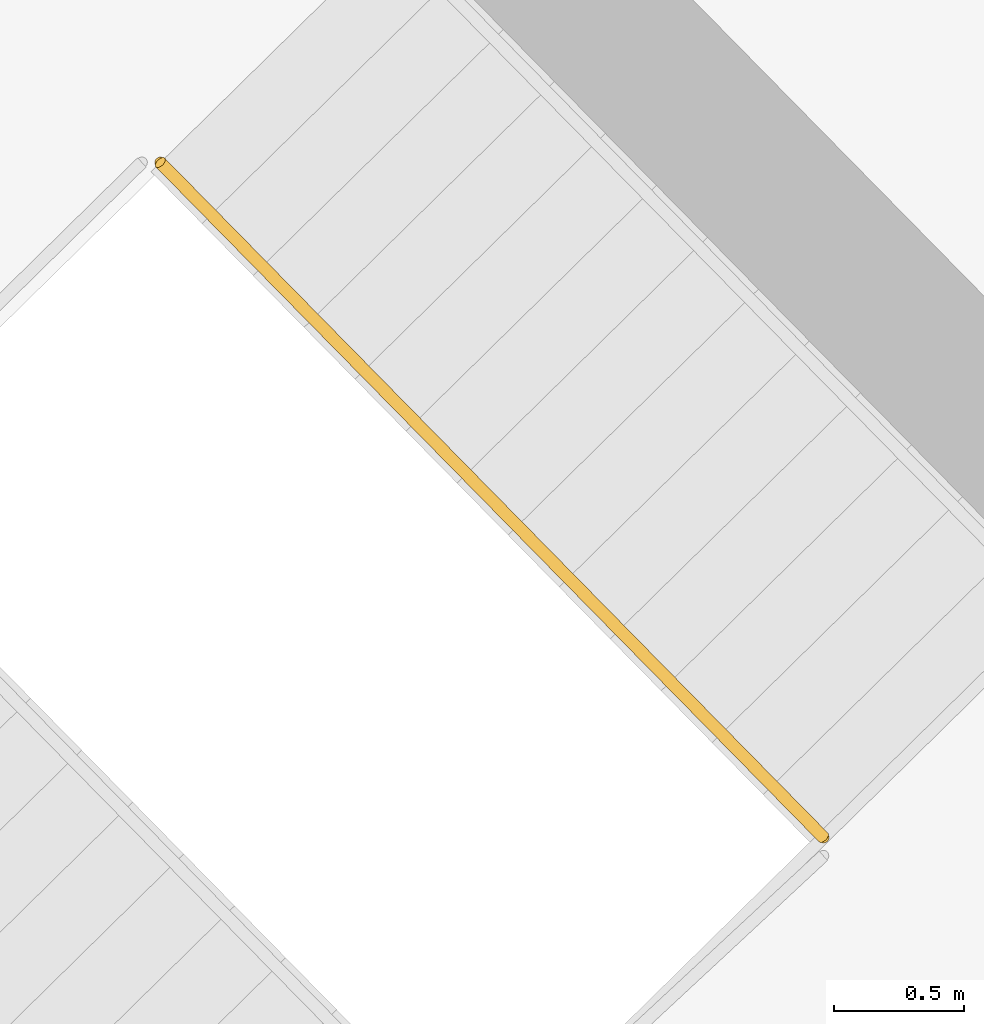
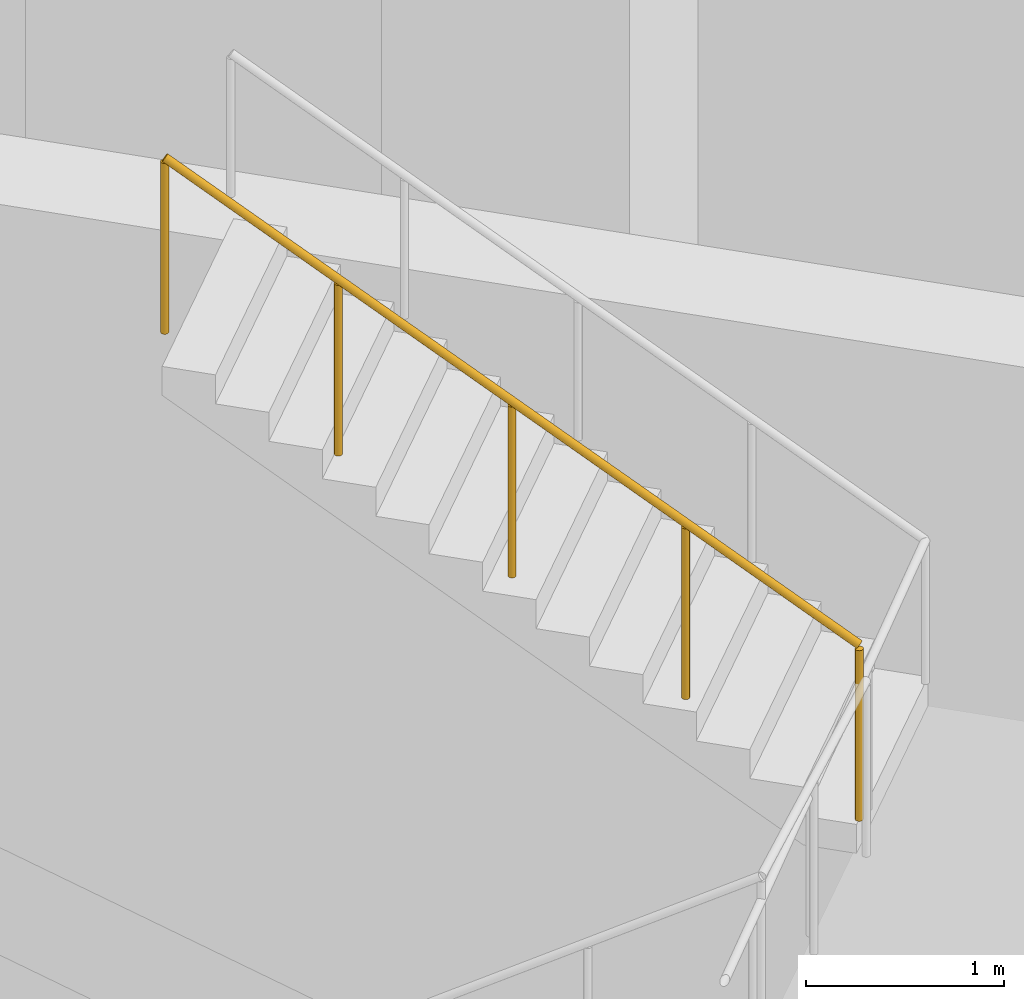
# One storey, part 10 of 10: 1 railing.
"""IFC4 building model written with IfcOpenShell, lengths in metres."""

from ifc_helpers import new_model, si_unit, direction, frame, origin, origin_2d, place, context, subcontext, project, spatial, circle, extrude, material, type_object, element, save


model = new_model("IFC4")

# Units and contexts
model_context = context("Model", 3, precision=1e-05, world=origin(), true_north=direction((0.0, 1.0)))
body_context = subcontext(model_context, "Body", "Model", "MODEL_VIEW")
ifc_project = project(units=[si_unit("LENGTHUNIT", "METRE"), si_unit("AREAUNIT", "SQUARE_METRE"), si_unit("VOLUMEUNIT", "CUBIC_METRE"), si_unit("PLANEANGLEUNIT", "RADIAN"), si_unit("MASSUNIT", "GRAM", prefix="KILO")], contexts=[model_context])

# Site, building, storey
site_placement = place(None, origin())
site = spatial("IfcSite", under=ifc_project, at=site_placement, CompositionType="ELEMENT")
building_placement = place(site_placement, origin())
building = spatial("IfcBuilding", under=site, at=building_placement, Name="Binnacle Exchange Tower", CompositionType="ELEMENT")
storey_placement = place(building_placement, frame((0.0, 0.0, 41.5)))
storey = spatial("IfcBuildingStorey", under=building, at=storey_placement, Name="L08", CompositionType="ELEMENT", Elevation=41.5)

# Railing
ifc_material = material(Name="Steel guard rail", Category="steel")
railing_type = type_object("IfcRailingType", Name="STAIR GUARD 1100", PredefinedType="GUARDRAIL", material=ifc_material)
railing_placement = place(storey_placement, frame((44.693359375, 45.747314453125, 2.678466796875)))
element("IfcRailing", 1, at=railing_placement, inside=storey, type_object=railing_type, Name="L08 STB1 stair guard 2", PredefinedType="GUARDRAIL", context=body_context, shape_type="SweptSolid", body=[
    extrude(circle(Radius=0.02392578125, at=origin_2d()), frame((0.0, 0.0, 1.076171875), z_axis=(-0.590946962671, 0.60135215321, 0.537733461056), x_axis=(-0.713250539553, -0.700909172309, 0.0)), (0.0, 0.0, 1.0), 4.317138671875),
    extrude(circle(Radius=0.02099609375, at=origin_2d()), origin(), (0.0, 0.0, 1.0), 1.052001953125),
    extrude(circle(Radius=0.02099609375, at=origin_2d()), frame((-0.6376953125, 0.64892578125, 0.580322265625)), (0.0, 0.0, 1.0), 1.052001953125),
    extrude(circle(Radius=0.02099609375, at=origin_2d()), frame((-1.275634765625, 1.298095703125, 1.16064453125)), (0.0, 0.0, 1.0), 1.052001953125),
    extrude(circle(Radius=0.02099609375, at=origin_2d()), frame((-1.91357421875, 1.947265625, 1.7412109375)), (0.0, 0.0, 1.0), 1.052001953125),
    extrude(circle(Radius=0.02099609375, at=origin_2d()), frame((-2.55126953125, 2.59619140625, 2.321533203125)), (0.0, 0.0, 1.0), 1.052001953125),
])

save(model, "model.ifc")
